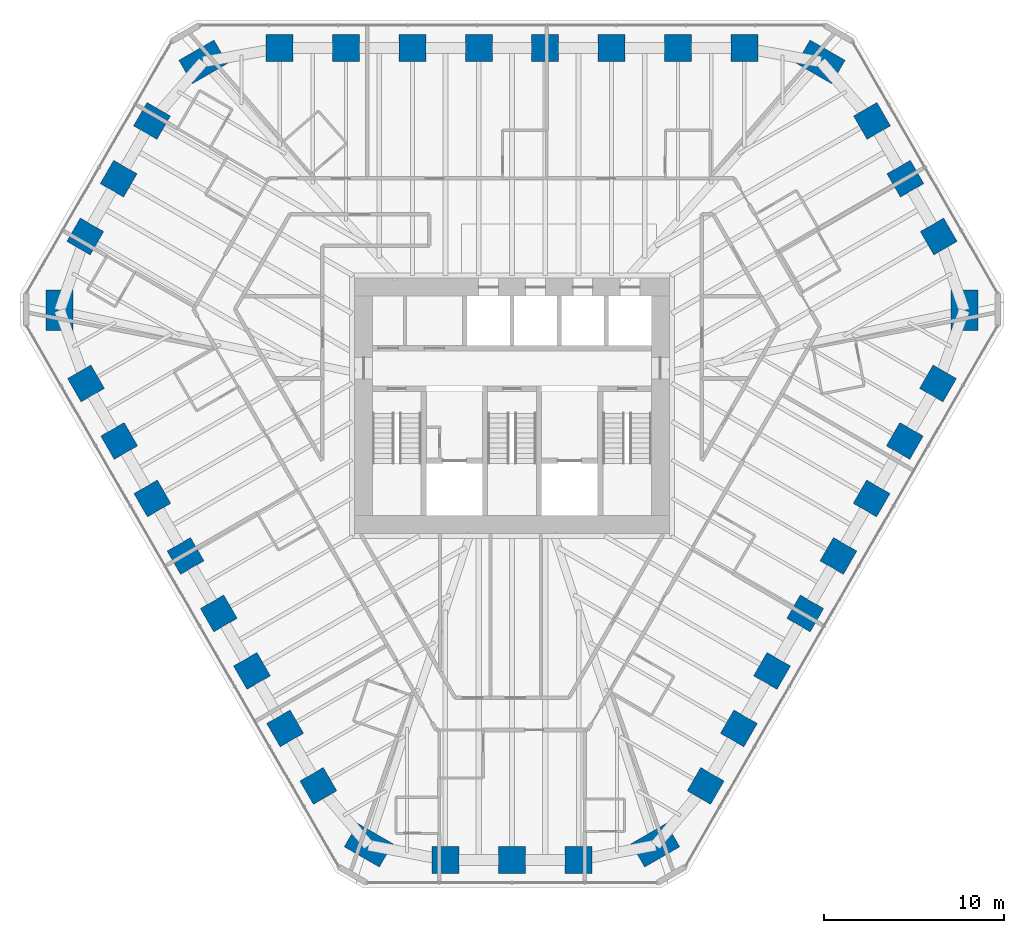
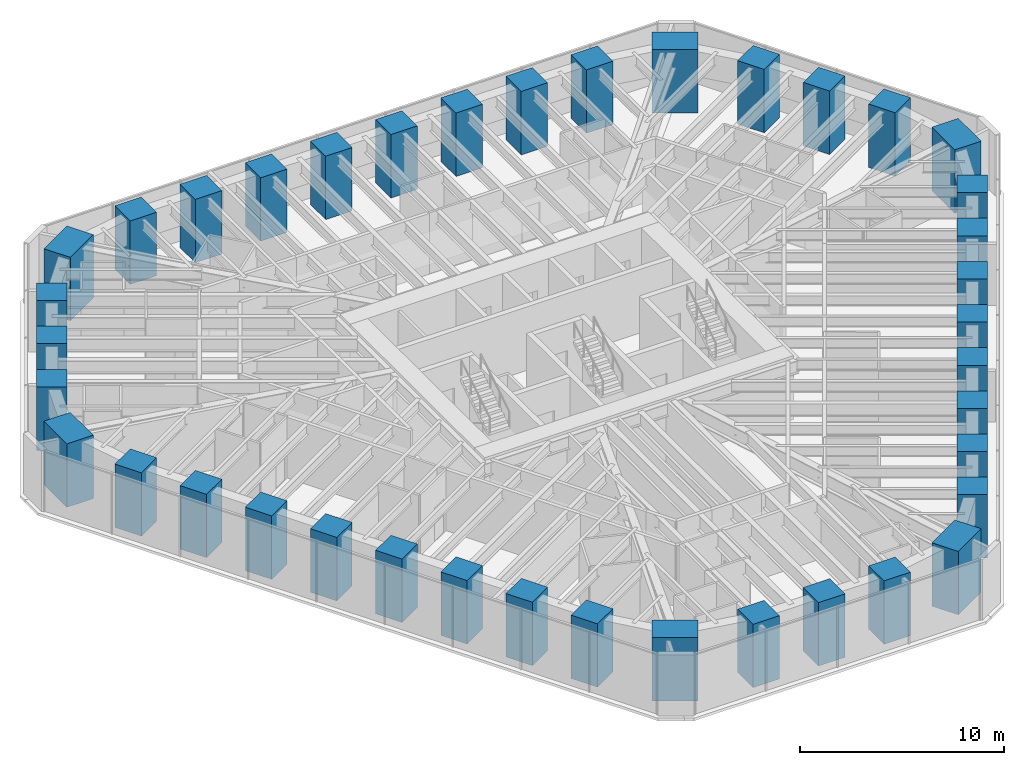
# One storey, part 1 of 16: 39 columns.
"""IFC4 building model written with IfcOpenShell, lengths in metres."""

from ifc_helpers import new_model, si_unit, direction, frame, origin, origin_2d, place, context, subcontext, project, spatial, rectangle, extrude, material, material_profile, profile_set, type_object, element, save


model = new_model("IFC4")

# Units and contexts
model_context = context("Model", 3, precision=1e-05, world=origin(), true_north=direction((0.0, 1.0)))
body_context = subcontext(model_context, "Body", "Model", "MODEL_VIEW")
ifc_project = project(units=[si_unit("LENGTHUNIT", "METRE"), si_unit("AREAUNIT", "SQUARE_METRE"), si_unit("VOLUMEUNIT", "CUBIC_METRE"), si_unit("PLANEANGLEUNIT", "RADIAN"), si_unit("MASSUNIT", "GRAM", prefix="KILO")], contexts=[model_context])

# Site, building, storey
site_placement = place(None, origin())
site = spatial("IfcSite", under=ifc_project, at=site_placement, CompositionType="ELEMENT")
building_placement = place(site_placement, origin())
building = spatial("IfcBuilding", under=site, at=building_placement, Name="Sandreach Pilgrim Tower", CompositionType="ELEMENT")
storey_placement = place(building_placement, frame((0.0, 0.0, 206.0)))
storey = spatial("IfcBuildingStorey", under=building, at=storey_placement, Name="L51", CompositionType="ELEMENT", Elevation=206.0)

# Columns
ifc_material_1 = material(Name="Concrete 10000 psi", Category="concrete")
ifc_material_profile_1 = material_profile(ifc_material_1, rectangle(XDim=1.5, YDim=1.5, at=origin_2d()), Name="RC1500X1500")
ifc_profile_set_1 = profile_set([ifc_material_profile_1], Name="Concrete 10000 psi")
column_type_1 = type_object("IfcColumnType", Name="Tube column RC1500X1500", PredefinedType="COLUMN", material=ifc_profile_set_1)
for number, where, z_axis, x_axis, name in (
    (1, (-12.923828125, 19.900146484375, 0.0), (0.0, 0.0, 1.0), (0.0, 1.0, 0.0), "COL L51 T01"),
    (2, (-9.231201171875, 19.900146484375, 0.0), (0.0, 0.0, 1.0), (0.0, 1.0, 0.0), "COL L51 T02"),
    (3, (-5.538818359375, 19.900146484375, 0.0), (0.0, 0.0, 1.0), (0.0, 1.0, 0.0), "COL L51 T03"),
    (4, (-1.84619140625, 19.900146484375, 0.0), (0.0, 0.0, 1.0), (0.0, 1.0, 0.0), "COL L51 T04"),
    (5, (1.84619140625, 19.900146484375, 0.0), (0.0, 0.0, 1.0), (0.0, 1.0, 0.0), "COL L51 T05"),
    (6, (5.538818359375, 19.900146484375, 0.0), (0.0, 0.0, 1.0), (0.0, 1.0, 0.0), "COL L51 T06"),
    (7, (9.231201171875, 19.900146484375, 0.0), (0.0, 0.0, 1.0), (0.0, 1.0, 0.0), "COL L51 T07"),
    (8, (12.923828125, 19.900146484375, 0.0), (0.0, 0.0, 1.0), (0.0, 1.0, 0.0), "COL L51 T08"),
    (9, (20.025146484375, 15.845947265625, 0.0), (0.0, 0.0, 1.0), (0.866025403784, 0.5, 0.0), "COL L51 T10"),
    (10, (21.88037109375, 12.632568359375, 0.0), (0.0, 0.0, 1.0), (0.866025403784, 0.5, 0.0), "COL L51 T11"),
    (11, (23.7353515625, 9.419189453125, 0.0), (0.0, 0.0, 1.0), (0.866025403784, 0.5, 0.0), "COL L51 T12"),
    (12, (23.69580078125, 1.2421875, 0.0), (0.0, 0.0, 1.0), (0.866025403784, -0.5, 0.0), "COL L51 T14"),
    (13, (21.849609375, -1.95556640625, 0.0), (0.0, 0.0, 1.0), (0.866025403784, -0.5, 0.0), "COL L51 T15"),
    (14, (20.00341796875, -5.1533203125, 0.0), (0.0, 0.0, 1.0), (0.866025403784, -0.5, 0.0), "COL L51 T16"),
    (15, (18.1572265625, -8.35107421875, 0.0), (0.0, 0.0, 1.0), (0.866025403784, -0.5, 0.0), "COL L51 T17"),
    (16, (16.310791015625, -11.548828125, 0.0), (0.0, 0.0, 1.0), (0.866025403784, -0.5, 0.0), "COL L51 T18"),
    (17, (14.464599609375, -14.746826171875, 0.0), (0.0, 0.0, 1.0), (0.866025403784, -0.5, 0.0), "COL L51 T19"),
    (18, (12.618408203125, -17.944580078125, 0.0), (0.0, 0.0, 1.0), (0.866025403784, -0.5, 0.0), "COL L51 T20"),
    (19, (10.772216796875, -21.142333984375, 0.0), (0.0, 0.0, 1.0), (0.866025403784, -0.5, 0.0), "COL L51 T21"),
    (20, (3.71044921875, -25.26513671875, 0.0), (0.0, 0.0, 1.0), (0.0, -1.0, 0.0), "COL L51 T23"),
    (21, (0.0, -25.26513671875, 0.0), (0.0, 0.0, 1.0), (0.0, -1.0, 0.0), "COL L51 T24"),
    (22, (-3.71044921875, -25.26513671875, 0.0), (0.0, 0.0, 1.0), (0.0, -1.0, 0.0), "COL L51 T25"),
    (23, (-10.772216796875, -21.142333984375, 0.0), (0.0, 0.0, 1.0), (-0.866025403784, -0.5, 0.0), "COL L51 T27"),
    (24, (-12.618408203125, -17.944580078125, 0.0), (0.0, 0.0, 1.0), (-0.866025403784, -0.5, 0.0), "COL L51 T28"),
    (25, (-14.464599609375, -14.746826171875, 0.0), (0.0, 0.0, 1.0), (-0.866025403784, -0.5, 0.0), "COL L51 T29"),
    (26, (-16.310791015625, -11.548828125, 0.0), (0.0, 0.0, 1.0), (-0.866025403784, -0.5, 0.0), "COL L51 T30"),
    (27, (-18.1572265625, -8.35107421875, 0.0), (0.0, 0.0, 1.0), (-0.866025403784, -0.5, 0.0), "COL L51 T31"),
    (28, (-20.00341796875, -5.1533203125, 0.0), (0.0, 0.0, 1.0), (-0.866025403784, -0.5, 0.0), "COL L51 T32"),
    (29, (-21.849609375, -1.95556640625, 0.0), (0.0, 0.0, 1.0), (-0.866025403784, -0.5, 0.0), "COL L51 T33"),
    (30, (-23.69580078125, 1.2421875, 0.0), (0.0, 0.0, 1.0), (-0.866025403784, -0.5, 0.0), "COL L51 T34"),
    (31, (-23.7353515625, 9.419189453125, 0.0), (0.0, 0.0, 1.0), (-0.866025403784, 0.5, 0.0), "COL L51 T36"),
    (32, (-21.88037109375, 12.632568359375, 0.0), (0.0, 0.0, 1.0), (-0.866025403784, 0.5, 0.0), "COL L51 T37"),
    (33, (-20.025146484375, 15.845947265625, 0.0), (0.0, 0.0, 1.0), (-0.866025403784, 0.5, 0.0), "COL L51 T38"),
):
    element("IfcColumn", number, at=place(storey_placement, frame(where, z_axis=z_axis, x_axis=x_axis)), inside=storey, type_object=column_type_1, Name=name, PredefinedType="COLUMN", context=body_context, shape_type="SweptSolid", body=[
        extrude(rectangle(XDim=1.5, YDim=1.5, at=origin_2d()), origin(), (0.0, 0.0, 1.0), 3.800048828125),
    ])
ifc_material_2 = material(Name="Concrete 10000 psi", Category="concrete")
ifc_material_profile_2 = material_profile(ifc_material_2, rectangle(XDim=1.5, YDim=2.25, at=origin_2d()), Name="RC1500X2250")
ifc_profile_set_2 = profile_set([ifc_material_profile_2], Name="Concrete 10000 psi")
column_type_2 = type_object("IfcColumnType", Name="Tube corner pier RC1500X2250", PredefinedType="COLUMN", material=ifc_profile_set_2)
for number, where, z_axis, x_axis, name in (
    (34, (17.177978515625, 19.130615234375, 0.0), (0.0, 0.0, 1.0), (0.5, 0.866025403784, 0.0), "COL L51 T09"),
    (35, (25.156494140625, 5.311279296875, 0.0), (0.0, 0.0, 1.0), (1.0, 0.0, 0.0), "COL L51 T13"),
    (36, (7.978515625, -24.44189453125, 0.0), (0.0, 0.0, 1.0), (0.5, -0.866025403784, 0.0), "COL L51 T22"),
    (37, (-7.978515625, -24.44189453125, 0.0), (0.0, 0.0, 1.0), (-0.5, -0.866025403784, 0.0), "COL L51 T26"),
    (38, (-25.156494140625, 5.311279296875, 0.0), (0.0, 0.0, 1.0), (-1.0, 0.0, 0.0), "COL L51 T35"),
    (39, (-17.177978515625, 19.130615234375, 0.0), (0.0, 0.0, 1.0), (-0.5, 0.866025403784, 0.0), "COL L51 T39"),
):
    element("IfcColumn", number, at=place(storey_placement, frame(where, z_axis=z_axis, x_axis=x_axis)), inside=storey, type_object=column_type_2, Name=name, PredefinedType="COLUMN", context=body_context, shape_type="SweptSolid", body=[
        extrude(rectangle(XDim=1.5, YDim=2.25, at=origin_2d()), origin(), (0.0, 0.0, 1.0), 3.800048828125),
    ])

save(model, "model.ifc")
